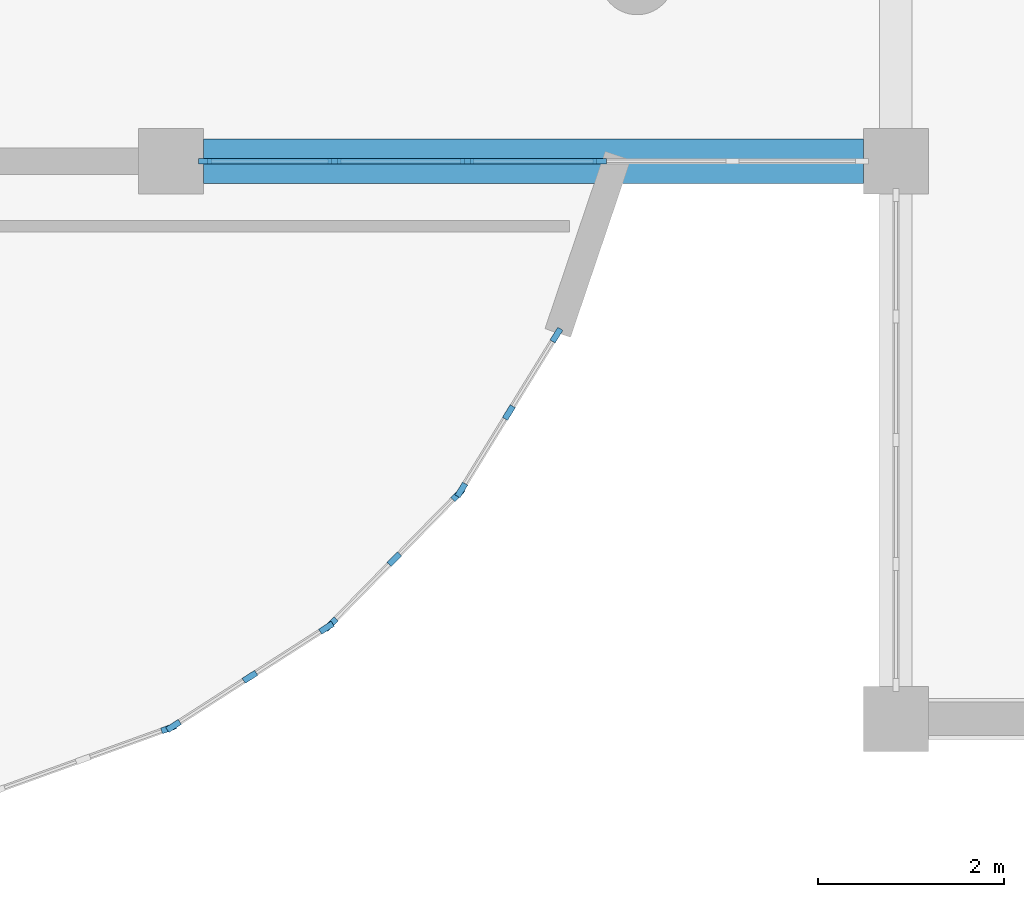
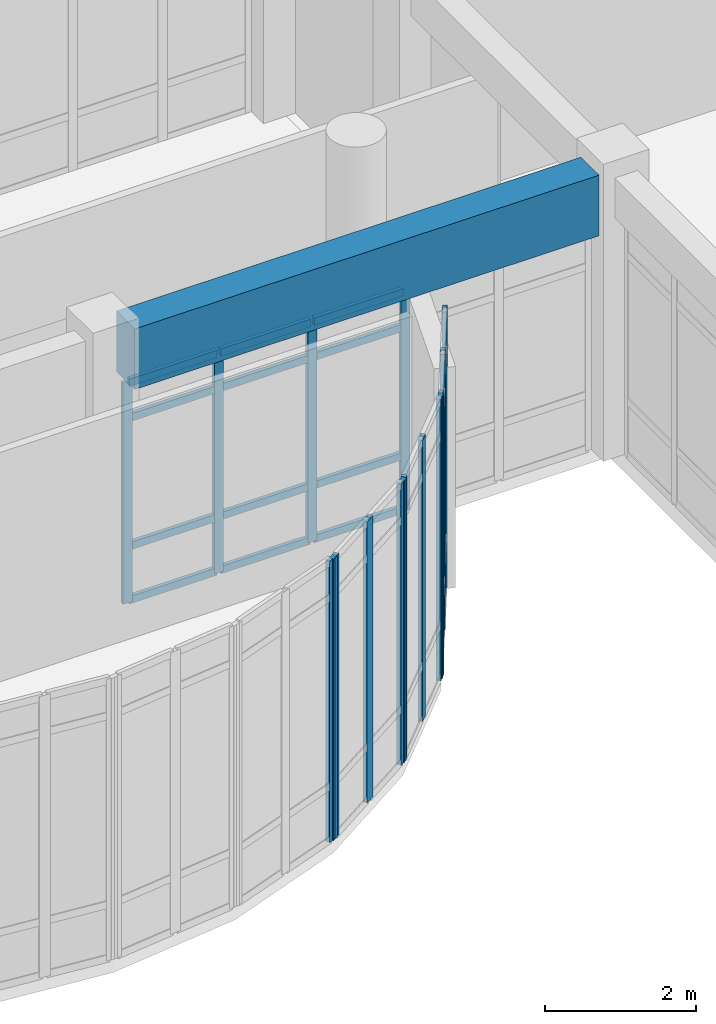
# One storey, part 16 of 65: 26 members, 1 beam, 5 elements without a shape of their own.
"""IFC4 building model written with IfcOpenShell, lengths in metres."""

from ifc_helpers import new_model, si_unit, direction, frame, origin, origin_2d, place, context, subcontext, project, spatial, rectangle, extrude, material, layer, layer_set, material_profile, profile_set, type_object, element, aggregate, save


model = new_model("IFC4")

# Units and contexts
model_context = context("Model", 3, precision=1e-05, world=origin(), true_north=direction((0.0, 1.0)))
body_context = subcontext(model_context, "Body", "Model", "MODEL_VIEW")
ifc_project = project(units=[si_unit("LENGTHUNIT", "METRE"), si_unit("AREAUNIT", "SQUARE_METRE"), si_unit("VOLUMEUNIT", "CUBIC_METRE"), si_unit("PLANEANGLEUNIT", "RADIAN"), si_unit("MASSUNIT", "GRAM", prefix="KILO")], contexts=[model_context])

# Site, building, storey
site_placement = place(None, origin())
site = spatial("IfcSite", under=ifc_project, at=site_placement, CompositionType="ELEMENT")
building_placement = place(site_placement, origin())
building = spatial("IfcBuilding", under=site, at=building_placement, Name="Miralva Faculty of Natural Sciences", CompositionType="ELEMENT")
storey_placement = place(building_placement, frame((0.0, 0.0, 10.199951171875)))
storey = spatial("IfcBuildingStorey", under=building, at=storey_placement, Name="L02", CompositionType="ELEMENT", Elevation=10.199951171875)

# Beam
ifc_material_1 = material(Name="Concrete C40/50", Category="concrete")
ifc_material_profile_1 = material_profile(ifc_material_1, rectangle(XDim=0.47998046875, YDim=0.97998046875, at=origin_2d()), Name="RC 480x980")
ifc_profile_set_1 = profile_set([ifc_material_profile_1], Name="Concrete C40/50")
beam_type = type_object("IfcBeamType", Name="BM-BG18", PredefinedType="BEAM", material=ifc_profile_set_1)
beam_placement = place(storey_placement, frame((126.35009765625, 18.0, 4.070068359375), z_axis=(1.0, 0.0, 0.0), x_axis=(0.0, 1.0, 0.0)))
element("IfcBeam", 1, at=beam_placement, inside=storey, type_object=beam_type, Name="Girder EW L02-15", PredefinedType="BEAM", context=body_context, shape_type="SweptSolid", body=[
    extrude(rectangle(XDim=0.47998046875, YDim=0.97998046875, at=origin_2d()), origin(), (0.0, 0.0, 1.0), 7.099853515625),
])

# Curtain wall, members
ifc_material_2 = material(Name="Laminated solar-control glass", Category="glass")
ifc_layer_1 = layer(ifc_material_2, 0.179931640625, Name="CW-RND-L01")
ifc_layer_set_1 = layer_set([ifc_layer_1], Name="Laminated solar-control glass")
curtain_wall_type_1 = type_object("IfcCurtainWallType", Name="CW-RND-L01", PredefinedType="USERDEFINED", material=ifc_layer_set_1)
curtain_wall_1_placement = place(storey_placement, origin())
curtain_wall_1 = element("IfcCurtainWall", 2, at=curtain_wall_1_placement, inside=storey, type_object=curtain_wall_type_1, Name="Curtain wall CW-05 L02-101", ObjectType="UNITISED CURTAIN WALL", PredefinedType="USERDEFINED")
ifc_material_3 = material(Name="Anodised aluminium", Category="aluminium")
ifc_material_profile_2 = material_profile(ifc_material_3, rectangle(XDim=0.06494140625, YDim=0.159912109375, at=origin_2d()), Name="MULLION 65x160")
ifc_profile_set_2 = profile_set([ifc_material_profile_2], Name="Anodised aluminium")
member_type_1 = type_object("IfcMemberType", Name="CW-M02", PredefinedType="MULLION", material=ifc_profile_set_2)
member_1_placement = place(storey_placement, frame((129.12353515625, 14.46337890625, 0.0), z_axis=(0.0, 0.0, 1.0), x_axis=(-0.851994617353, 0.523550543884, 0.0)))
member_1 = element("IfcMember", 3, at=member_1_placement, type_object=member_type_1, Name="CW-05 mullion 1", PredefinedType="MULLION", context=body_context, shape_type="SweptSolid", body=[
    extrude(rectangle(XDim=0.06494140625, YDim=0.159912109375, at=origin_2d()), origin(), (0.0, 0.0, 1.0), 4.550048828125),
])
member_2_placement = place(storey_placement, frame((129.635498046875, 15.29638671875, 0.0), z_axis=(0.0, 0.0, 1.0), x_axis=(-0.851994617353, 0.523550543884, 0.0)))
member_2 = element("IfcMember", 4, at=member_2_placement, type_object=member_type_1, Name="CW-05 mullion 2", PredefinedType="MULLION", context=body_context, shape_type="SweptSolid", body=[
    extrude(rectangle(XDim=0.06494140625, YDim=0.159912109375, at=origin_2d()), origin(), (0.0, 0.0, 1.0), 4.550048828125),
])
member_3_placement = place(storey_placement, frame((130.147216796875, 16.12939453125, 0.0), z_axis=(0.0, 0.0, 1.0), x_axis=(-0.851994617353, 0.523550543884, 0.0)))
member_3 = element("IfcMember", 5, at=member_3_placement, type_object=member_type_1, Name="CW-05 mullion 3", PredefinedType="MULLION", context=body_context, shape_type="SweptSolid", body=[
    extrude(rectangle(XDim=0.06494140625, YDim=0.159912109375, at=origin_2d()), origin(), (0.0, 0.0, 1.0), 4.550048828125),
])
aggregate(curtain_wall_1, [member_1, member_2, member_3])

curtain_wall_2_placement = place(storey_placement, origin())
curtain_wall_2 = element("IfcCurtainWall", 6, at=curtain_wall_2_placement, inside=storey, type_object=curtain_wall_type_1, Name="Curtain wall CW-05 L02-102", ObjectType="UNITISED CURTAIN WALL", PredefinedType="USERDEFINED")
member_4_placement = place(storey_placement, frame((127.718505859375, 13.01953125, 0.0), z_axis=(0.0, 0.0, 1.0), x_axis=(-0.714124749017, 0.700018458929, 0.0)))
member_4 = element("IfcMember", 7, at=member_4_placement, type_object=member_type_1, Name="CW-05 mullion 1", PredefinedType="MULLION", context=body_context, shape_type="SweptSolid", body=[
    extrude(rectangle(XDim=0.06494140625, YDim=0.159912109375, at=origin_2d()), origin(), (0.0, 0.0, 1.0), 4.550048828125),
])
member_5_placement = place(storey_placement, frame((128.40283203125, 13.7177734375, 0.0), z_axis=(0.0, 0.0, 1.0), x_axis=(-0.714124749017, 0.700018458929, 0.0)))
member_5 = element("IfcMember", 8, at=member_5_placement, type_object=member_type_1, Name="CW-05 mullion 2", PredefinedType="MULLION", context=body_context, shape_type="SweptSolid", body=[
    extrude(rectangle(XDim=0.06494140625, YDim=0.159912109375, at=origin_2d()), origin(), (0.0, 0.0, 1.0), 4.550048828125),
])
member_6_placement = place(storey_placement, frame((129.087158203125, 14.416015625, 0.0), z_axis=(0.0, 0.0, 1.0), x_axis=(-0.714124749017, 0.700018458929, 0.0)))
member_6 = element("IfcMember", 9, at=member_6_placement, type_object=member_type_1, Name="CW-05 mullion 3", PredefinedType="MULLION", context=body_context, shape_type="SweptSolid", body=[
    extrude(rectangle(XDim=0.06494140625, YDim=0.159912109375, at=origin_2d()), origin(), (0.0, 0.0, 1.0), 4.550048828125),
])
aggregate(curtain_wall_2, [member_4, member_5, member_6])

curtain_wall_3_placement = place(storey_placement, origin())
curtain_wall_3 = element("IfcCurtainWall", 10, at=curtain_wall_3_placement, inside=storey, type_object=curtain_wall_type_1, Name="Curtain wall CW-05 L02-103", ObjectType="UNITISED CURTAIN WALL", PredefinedType="USERDEFINED")
member_7_placement = place(storey_placement, frame((126.02734375, 11.9248046875, 0.0), z_axis=(0.0, 0.0, 1.0), x_axis=(-0.540444854725, 0.841379438185, 0.0)))
member_7 = element("IfcMember", 11, at=member_7_placement, type_object=member_type_1, Name="CW-05 mullion 1", PredefinedType="MULLION", context=body_context, shape_type="SweptSolid", body=[
    extrude(rectangle(XDim=0.06494140625, YDim=0.159912109375, at=origin_2d()), origin(), (0.0, 0.0, 1.0), 4.550048828125),
])
member_8_placement = place(storey_placement, frame((126.849853515625, 12.453125, 0.0), z_axis=(0.0, 0.0, 1.0), x_axis=(-0.540444854725, 0.841379438185, 0.0)))
member_8 = element("IfcMember", 12, at=member_8_placement, type_object=member_type_1, Name="CW-05 mullion 2", PredefinedType="MULLION", context=body_context, shape_type="SweptSolid", body=[
    extrude(rectangle(XDim=0.06494140625, YDim=0.159912109375, at=origin_2d()), origin(), (0.0, 0.0, 1.0), 4.550048828125),
])
member_9_placement = place(storey_placement, frame((127.672607421875, 12.9814453125, 0.0), z_axis=(0.0, 0.0, 1.0), x_axis=(-0.540444854725, 0.841379438185, 0.0)))
member_9 = element("IfcMember", 13, at=member_9_placement, type_object=member_type_1, Name="CW-05 mullion 3", PredefinedType="MULLION", context=body_context, shape_type="SweptSolid", body=[
    extrude(rectangle(XDim=0.06494140625, YDim=0.159912109375, at=origin_2d()), origin(), (0.0, 0.0, 1.0), 4.550048828125),
])
aggregate(curtain_wall_3, [member_7, member_8, member_9])

# Curtain wall, member
curtain_wall_4_placement = place(storey_placement, origin())
curtain_wall_4 = element("IfcCurtainWall", 14, at=curtain_wall_4_placement, inside=storey, type_object=curtain_wall_type_1, Name="Curtain wall CW-05 L02-104", ObjectType="UNITISED CURTAIN WALL", PredefinedType="USERDEFINED")
member_10_placement = place(storey_placement, frame((125.97412109375, 11.89794921875, 0.0), z_axis=(0.0, 0.0, 1.0), x_axis=(-0.339695547876, 0.940535451088, 0.0)))
member_10 = element("IfcMember", 15, at=member_10_placement, type_object=member_type_1, Name="CW-05 mullion 3", PredefinedType="MULLION", context=body_context, shape_type="SweptSolid", body=[
    extrude(rectangle(XDim=0.06494140625, YDim=0.159912109375, at=origin_2d()), origin(), (0.0, 0.0, 1.0), 4.550048828125),
])
aggregate(curtain_wall_4, [member_10])

# Curtain wall, members
ifc_layer_2 = layer(ifc_material_2, 0.179931640625, Name="CW-COM-L01")
ifc_layer_set_2 = layer_set([ifc_layer_2], Name="Laminated solar-control glass")
curtain_wall_type_2 = type_object("IfcCurtainWallType", Name="CW-COM-L01", PredefinedType="USERDEFINED", material=ifc_layer_set_2)
curtain_wall_5_placement = place(storey_placement, origin())
curtain_wall_5 = element("IfcCurtainWall", 16, at=curtain_wall_5_placement, inside=storey, type_object=curtain_wall_type_2, Name="Curtain wall CW-10 L02-296", ObjectType="UNITISED CURTAIN WALL", PredefinedType="USERDEFINED")
ifc_material_profile_3 = material_profile(ifc_material_3, rectangle(XDim=0.06005859375, YDim=0.139892578125, at=origin_2d()), Name="MULLION 60x140")
ifc_profile_set_3 = profile_set([ifc_material_profile_3], Name="Anodised aluminium")
member_type_2 = type_object("IfcMemberType", Name="CW-M03", PredefinedType="MULLION", material=ifc_profile_set_3)
member_11_placement = place(storey_placement, frame((126.364990234375, 18.0, 0.0), z_axis=(0.0, 0.0, 1.0), x_axis=(0.0, 1.0, 0.0)))
member_11 = element("IfcMember", 17, at=member_11_placement, type_object=member_type_2, Name="CW-10 mullion 1", PredefinedType="MULLION", context=body_context, shape_type="SweptSolid", body=[
    extrude(rectangle(XDim=0.06005859375, YDim=0.139892578125, at=origin_2d()), origin(), (0.0, 0.0, 1.0), 3.574951171875),
])
member_12_placement = place(storey_placement, frame((127.760986328125, 18.0, 0.0), z_axis=(0.0, 0.0, 1.0), x_axis=(0.0, 1.0, 0.0)))
member_12 = element("IfcMember", 18, at=member_12_placement, type_object=member_type_2, Name="CW-10 mullion 2", PredefinedType="MULLION", context=body_context, shape_type="SweptSolid", body=[
    extrude(rectangle(XDim=0.06005859375, YDim=0.139892578125, at=origin_2d()), origin(), (0.0, 0.0, 1.0), 3.574951171875),
])
member_13_placement = place(storey_placement, frame((129.18701171875, 18.0, 0.0), z_axis=(0.0, 0.0, 1.0), x_axis=(0.0, 1.0, 0.0)))
member_13 = element("IfcMember", 19, at=member_13_placement, type_object=member_type_2, Name="CW-10 mullion 3", PredefinedType="MULLION", context=body_context, shape_type="SweptSolid", body=[
    extrude(rectangle(XDim=0.06005859375, YDim=0.139892578125, at=origin_2d()), origin(), (0.0, 0.0, 1.0), 3.574951171875),
])
member_14_placement = place(storey_placement, frame((130.613037109375, 18.0, 0.0), z_axis=(0.0, 0.0, 1.0), x_axis=(0.0, 1.0, 0.0)))
member_14 = element("IfcMember", 20, at=member_14_placement, type_object=member_type_2, Name="CW-10 mullion 4", PredefinedType="MULLION", context=body_context, shape_type="SweptSolid", body=[
    extrude(rectangle(XDim=0.06005859375, YDim=0.139892578125, at=origin_2d()), origin(), (0.0, 0.0, 1.0), 3.574951171875),
])
ifc_material_profile_4 = material_profile(ifc_material_3, rectangle(XDim=0.06005859375, YDim=0.1201171875, at=origin_2d()), Name="TRANSOM 60x120")
ifc_profile_set_4 = profile_set([ifc_material_profile_4], Name="Anodised aluminium")
member_type_3 = type_object("IfcMemberType", Name="CW-T02", PredefinedType="USERDEFINED", material=ifc_profile_set_4)
member_15_placement = place(storey_placement, frame((126.39501953125, 18.0, 0.030029296875), z_axis=(1.0, 0.0, 0.0), x_axis=(0.0, 1.0, 0.0)))
member_15 = element("IfcMember", 21, at=member_15_placement, type_object=member_type_3, Name="CW-10 transom 1.1", ObjectType="TRANSOM", PredefinedType="USERDEFINED", context=body_context, shape_type="SweptSolid", body=[
    extrude(rectangle(XDim=0.06005859375, YDim=0.1201171875, at=origin_2d()), origin(), (0.0, 0.0, 1.0), 1.3359375),
])
member_16_placement = place(storey_placement, frame((126.39501953125, 18.0, 0.900146484375), z_axis=(1.0, 0.0, 0.0), x_axis=(0.0, 1.0, 0.0)))
member_16 = element("IfcMember", 22, at=member_16_placement, type_object=member_type_3, Name="CW-10 transom 1.2", ObjectType="TRANSOM", PredefinedType="USERDEFINED", context=body_context, shape_type="SweptSolid", body=[
    extrude(rectangle(XDim=0.06005859375, YDim=0.1201171875, at=origin_2d()), origin(), (0.0, 0.0, 1.0), 1.3359375),
])
member_17_placement = place(storey_placement, frame((126.39501953125, 18.0, 2.97509765625), z_axis=(1.0, 0.0, 0.0), x_axis=(0.0, 1.0, 0.0)))
member_17 = element("IfcMember", 23, at=member_17_placement, type_object=member_type_3, Name="CW-10 transom 1.3", ObjectType="TRANSOM", PredefinedType="USERDEFINED", context=body_context, shape_type="SweptSolid", body=[
    extrude(rectangle(XDim=0.06005859375, YDim=0.1201171875, at=origin_2d()), origin(), (0.0, 0.0, 1.0), 1.3359375),
])
member_18_placement = place(storey_placement, frame((126.39501953125, 18.0, 3.545166015625), z_axis=(1.0, 0.0, 0.0), x_axis=(0.0, 1.0, 0.0)))
member_18 = element("IfcMember", 24, at=member_18_placement, type_object=member_type_3, Name="CW-10 transom 1.4", ObjectType="TRANSOM", PredefinedType="USERDEFINED", context=body_context, shape_type="SweptSolid", body=[
    extrude(rectangle(XDim=0.06005859375, YDim=0.1201171875, at=origin_2d()), origin(), (0.0, 0.0, 1.0), 1.3359375),
])
member_19_placement = place(storey_placement, frame((127.791015625, 18.0, 0.030029296875), z_axis=(1.0, 0.0, 0.0), x_axis=(0.0, 1.0, 0.0)))
member_19 = element("IfcMember", 25, at=member_19_placement, type_object=member_type_3, Name="CW-10 transom 2.1", ObjectType="TRANSOM", PredefinedType="USERDEFINED", context=body_context, shape_type="SweptSolid", body=[
    extrude(rectangle(XDim=0.06005859375, YDim=0.1201171875, at=origin_2d()), origin(), (0.0, 0.0, 1.0), 1.365966796875),
])
member_20_placement = place(storey_placement, frame((127.791015625, 18.0, 0.900146484375), z_axis=(1.0, 0.0, 0.0), x_axis=(0.0, 1.0, 0.0)))
member_20 = element("IfcMember", 26, at=member_20_placement, type_object=member_type_3, Name="CW-10 transom 2.2", ObjectType="TRANSOM", PredefinedType="USERDEFINED", context=body_context, shape_type="SweptSolid", body=[
    extrude(rectangle(XDim=0.06005859375, YDim=0.1201171875, at=origin_2d()), origin(), (0.0, 0.0, 1.0), 1.365966796875),
])
member_21_placement = place(storey_placement, frame((127.791015625, 18.0, 2.97509765625), z_axis=(1.0, 0.0, 0.0), x_axis=(0.0, 1.0, 0.0)))
member_21 = element("IfcMember", 27, at=member_21_placement, type_object=member_type_3, Name="CW-10 transom 2.3", ObjectType="TRANSOM", PredefinedType="USERDEFINED", context=body_context, shape_type="SweptSolid", body=[
    extrude(rectangle(XDim=0.06005859375, YDim=0.1201171875, at=origin_2d()), origin(), (0.0, 0.0, 1.0), 1.365966796875),
])
member_22_placement = place(storey_placement, frame((127.791015625, 18.0, 3.545166015625), z_axis=(1.0, 0.0, 0.0), x_axis=(0.0, 1.0, 0.0)))
member_22 = element("IfcMember", 28, at=member_22_placement, type_object=member_type_3, Name="CW-10 transom 2.4", ObjectType="TRANSOM", PredefinedType="USERDEFINED", context=body_context, shape_type="SweptSolid", body=[
    extrude(rectangle(XDim=0.06005859375, YDim=0.1201171875, at=origin_2d()), origin(), (0.0, 0.0, 1.0), 1.365966796875),
])
member_23_placement = place(storey_placement, frame((129.217041015625, 18.0, 0.030029296875), z_axis=(1.0, 0.0, 0.0), x_axis=(0.0, 1.0, 0.0)))
member_23 = element("IfcMember", 29, at=member_23_placement, type_object=member_type_3, Name="CW-10 transom 3.1", ObjectType="TRANSOM", PredefinedType="USERDEFINED", context=body_context, shape_type="SweptSolid", body=[
    extrude(rectangle(XDim=0.06005859375, YDim=0.1201171875, at=origin_2d()), origin(), (0.0, 0.0, 1.0), 1.365966796875),
])
member_24_placement = place(storey_placement, frame((129.217041015625, 18.0, 0.900146484375), z_axis=(1.0, 0.0, 0.0), x_axis=(0.0, 1.0, 0.0)))
member_24 = element("IfcMember", 30, at=member_24_placement, type_object=member_type_3, Name="CW-10 transom 3.2", ObjectType="TRANSOM", PredefinedType="USERDEFINED", context=body_context, shape_type="SweptSolid", body=[
    extrude(rectangle(XDim=0.06005859375, YDim=0.1201171875, at=origin_2d()), origin(), (0.0, 0.0, 1.0), 1.365966796875),
])
member_25_placement = place(storey_placement, frame((129.217041015625, 18.0, 2.97509765625), z_axis=(1.0, 0.0, 0.0), x_axis=(0.0, 1.0, 0.0)))
member_25 = element("IfcMember", 31, at=member_25_placement, type_object=member_type_3, Name="CW-10 transom 3.3", ObjectType="TRANSOM", PredefinedType="USERDEFINED", context=body_context, shape_type="SweptSolid", body=[
    extrude(rectangle(XDim=0.06005859375, YDim=0.1201171875, at=origin_2d()), origin(), (0.0, 0.0, 1.0), 1.365966796875),
])
member_26_placement = place(storey_placement, frame((129.217041015625, 18.0, 3.545166015625), z_axis=(1.0, 0.0, 0.0), x_axis=(0.0, 1.0, 0.0)))
member_26 = element("IfcMember", 32, at=member_26_placement, type_object=member_type_3, Name="CW-10 transom 3.4", ObjectType="TRANSOM", PredefinedType="USERDEFINED", context=body_context, shape_type="SweptSolid", body=[
    extrude(rectangle(XDim=0.06005859375, YDim=0.1201171875, at=origin_2d()), origin(), (0.0, 0.0, 1.0), 1.365966796875),
])
aggregate(curtain_wall_5, [member_11, member_12, member_13, member_14, member_15, member_16, member_17, member_18, member_19, member_20, member_21, member_22, member_23, member_24, member_25, member_26])

save(model, "model.ifc")
